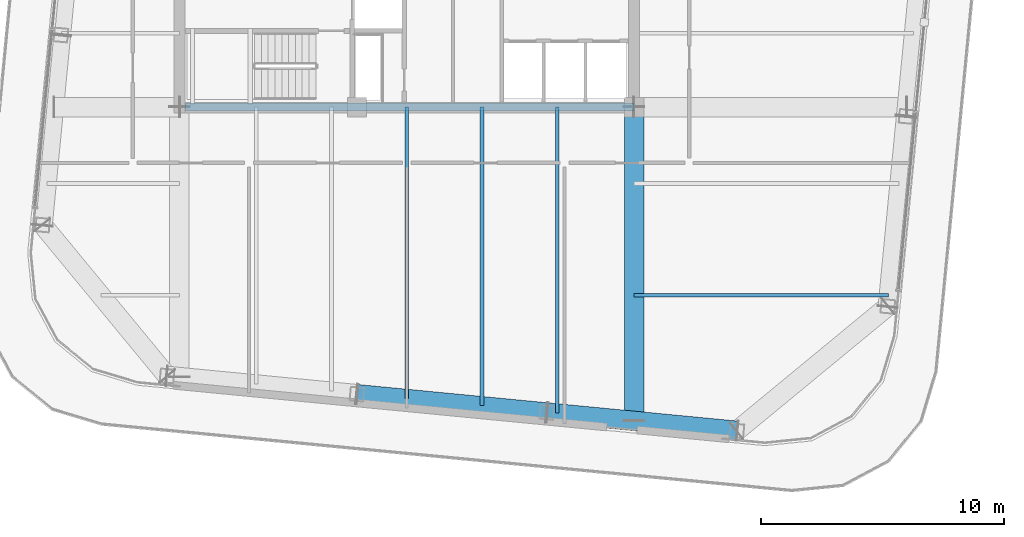
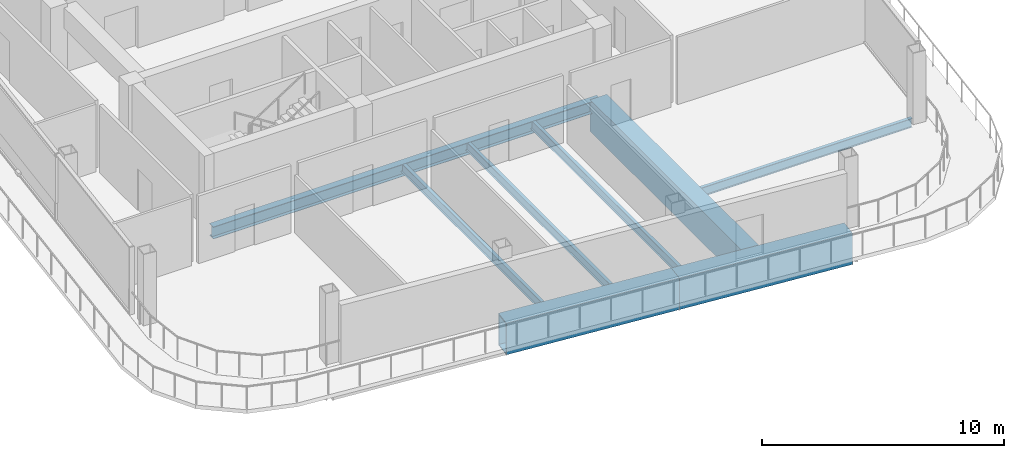
# One storey, part 3 of 20: 8 beams.
"""IFC4 building model written with IfcOpenShell, lengths in metres."""

from ifc_helpers import new_model, si_unit, direction, frame, origin, origin_2d, place, context, subcontext, project, spatial, hollow_rectangle, i_section, extrude, material, material_profile, profile_set, type_object, element, save


model = new_model("IFC4")

# Units and contexts
model_context = context("Model", 3, precision=1e-05, world=origin(), true_north=direction((0.0, 1.0)))
body_context = subcontext(model_context, "Body", "Model", "MODEL_VIEW")
ifc_project = project(units=[si_unit("LENGTHUNIT", "METRE"), si_unit("AREAUNIT", "SQUARE_METRE"), si_unit("VOLUMEUNIT", "CUBIC_METRE"), si_unit("PLANEANGLEUNIT", "RADIAN"), si_unit("MASSUNIT", "GRAM", prefix="KILO")], contexts=[model_context])

# Site, building, storey
site_placement = place(None, origin())
site = spatial("IfcSite", under=ifc_project, at=site_placement, CompositionType="ELEMENT")
building_placement = place(site_placement, origin())
building = spatial("IfcBuilding", under=site, at=building_placement, Name="Qhalaya Broadcast Tower", CompositionType="ELEMENT")
storey_placement = place(building_placement, frame((0.0, 0.0, 273.35009765625)))
storey = spatial("IfcBuildingStorey", under=building, at=storey_placement, Name="L81", CompositionType="ELEMENT", Elevation=273.35009765625)

# Beams
ifc_material_1 = material(Name="Structural Steel ASTM A992 Grade 50", Category="steel")
ifc_material_profile_1 = material_profile(ifc_material_1, i_section(OverallWidth=0.154052734375, OverallDepth=0.458984375, WebThickness=0.009033203125, FlangeThickness=0.015380859375, at=origin_2d()), Name="W18X46")
ifc_profile_set_1 = profile_set([ifc_material_profile_1], Name="Structural Steel ASTM A992 Grade 50")
beam_type_1 = type_object("IfcBeamType", Name="Composite Floor Joist J04", PredefinedType="JOIST", material=ifc_profile_set_1)
beam_1_placement = place(storey_placement, frame((0.0, -20.760009765625, -0.419677734375), z_axis=(0.0, 1.0, 0.0), x_axis=(-1.0, 0.0, 0.0)))
element("IfcBeam", 1, at=beam_1_placement, inside=storey, type_object=beam_type_1, Name="L81 J04 L81-JNS3-1", PredefinedType="JOIST", context=body_context, shape_type="SweptSolid", body=[
    extrude(i_section(OverallWidth=0.154052734375, OverallDepth=0.458984375, WebThickness=0.009033203125, FlangeThickness=0.015380859375, at=origin_2d()), origin(), (0.0, 0.0, 1.0), 12.010009765625),
])
beam_2_placement = place(storey_placement, frame((3.10009765625, -21.058349609375, -0.419677734375), z_axis=(0.0, 1.0, 0.0), x_axis=(-1.0, 0.0, 0.0)))
element("IfcBeam", 2, at=beam_2_placement, inside=storey, type_object=beam_type_1, Name="L81 J04 L81-JNS4-1", PredefinedType="JOIST", context=body_context, shape_type="SweptSolid", body=[
    extrude(i_section(OverallWidth=0.154052734375, OverallDepth=0.458984375, WebThickness=0.009033203125, FlangeThickness=0.015380859375, at=origin_2d()), origin(), (0.0, 0.0, 1.0), 12.308349609375),
])
beam_3_placement = place(storey_placement, frame((6.199951171875, -21.35693359375, -0.419677734375), z_axis=(0.0, 1.0, 0.0), x_axis=(-1.0, 0.0, 0.0)))
element("IfcBeam", 3, at=beam_3_placement, inside=storey, type_object=beam_type_1, Name="L81 J04 L81-JNS5-1", PredefinedType="JOIST", context=body_context, shape_type="SweptSolid", body=[
    extrude(i_section(OverallWidth=0.154052734375, OverallDepth=0.458984375, WebThickness=0.009033203125, FlangeThickness=0.015380859375, at=origin_2d()), origin(), (0.0, 0.0, 1.0), 12.60693359375),
])
beam_4_placement = place(storey_placement, frame((9.375, -16.5, -0.419677734375), z_axis=(1.0, 0.0, 0.0), x_axis=(0.0, 1.0, 0.0)))
element("IfcBeam", 4, at=beam_4_placement, inside=storey, type_object=beam_type_1, Name="L81 J04 L81-JWE1E-1", PredefinedType="JOIST", context=body_context, shape_type="SweptSolid", body=[
    extrude(i_section(OverallWidth=0.154052734375, OverallDepth=0.458984375, WebThickness=0.009033203125, FlangeThickness=0.015380859375, at=origin_2d()), origin(), (0.0, 0.0, 1.0), 10.47802734375),
])
ifc_material_profile_2 = material_profile(ifc_material_1, i_section(OverallWidth=0.323974609375, OverallDepth=0.612060546875, WebThickness=0.0126953125, FlangeThickness=0.01904296875, at=origin_2d()), Name="W24X104")
ifc_profile_set_2 = profile_set([ifc_material_profile_2], Name="Structural Steel ASTM A992 Grade 50")
beam_type_2 = type_object("IfcBeamType", Name="Core Frame Tie Beam B04", PredefinedType="BEAM", material=ifc_profile_set_2)
beam_5_placement = place(storey_placement, frame((-9.1201171875, -8.75, -0.49609375), z_axis=(1.0, 0.0, 0.0), x_axis=(0.0, 1.0, 0.0)))
element("IfcBeam", 5, at=beam_5_placement, inside=storey, type_object=beam_type_2, Name="L81 B04 L81-CCS3", PredefinedType="BEAM", context=body_context, shape_type="SweptSolid", body=[
    extrude(i_section(OverallWidth=0.323974609375, OverallDepth=0.612060546875, WebThickness=0.0126953125, FlangeThickness=0.01904296875, at=origin_2d()), origin(), (0.0, 0.0, 1.0), 18.4951171875),
])
ifc_material_2 = material(Name="Structural Steel ASTM A572 Grade 50", Category="steel")
ifc_material_profile_3 = material_profile(ifc_material_2, hollow_rectangle(XDim=0.800048828125, YDim=1.60009765625, WallThickness=0.050048828125, at=origin_2d()), Name="BOX 800x1600x50")
ifc_profile_set_3 = profile_set([ifc_material_profile_3], Name="Structural Steel ASTM A572 Grade 50")
beam_type_3 = type_object("IfcBeamType", Name="Upper Cantilever Transfer Box Girder TG2", PredefinedType="USERDEFINED", material=ifc_profile_set_3)
beam_6_placement = place(storey_placement, frame((-2.052490234375, -20.58251953125, -0.989990234375), z_axis=(0.995397023367, -0.095837184179, 0.0), x_axis=(0.095837184179, 0.995397023367, 0.0)))
element("IfcBeam", 6, at=beam_6_placement, inside=storey, type_object=beam_type_3, Name="L81 TG2 L81-SPR-02", ObjectType="GIRDER", PredefinedType="USERDEFINED", context=body_context, shape_type="SweptSolid", body=[
    extrude(hollow_rectangle(XDim=0.800048828125, YDim=1.60009765625, WallThickness=0.050048828125, at=origin_2d()), origin(), (0.0, 0.0, 1.0), 7.866455078125),
])
beam_7_placement = place(storey_placement, frame((5.77783203125, -21.33642578125, -0.989990234375), z_axis=(0.995397308407, -0.095834223619, 0.0), x_axis=(0.095834223619, 0.995397308407, 0.0)))
element("IfcBeam", 7, at=beam_7_placement, inside=storey, type_object=beam_type_3, Name="L81 TG2 L81-SPR-03", ObjectType="GIRDER", PredefinedType="USERDEFINED", context=body_context, shape_type="SweptSolid", body=[
    extrude(hollow_rectangle(XDim=0.800048828125, YDim=1.60009765625, WallThickness=0.050048828125, at=origin_2d()), origin(), (0.0, 0.0, 1.0), 7.86669921875),
])
beam_8_placement = place(storey_placement, frame((9.375, -21.66259765625, -0.989990234375), z_axis=(0.0, 1.0, 0.0), x_axis=(-1.0, 0.0, 0.0)))
element("IfcBeam", 8, at=beam_8_placement, inside=storey, type_object=beam_type_3, Name="L81 TG2 L81-PGXS2-1", ObjectType="GIRDER", PredefinedType="USERDEFINED", context=body_context, shape_type="SweptSolid", body=[
    extrude(hollow_rectangle(XDim=0.800048828125, YDim=1.60009765625, WallThickness=0.050048828125, at=origin_2d()), origin(), (0.0, 0.0, 1.0), 12.91259765625),
])

save(model, "model.ifc")
